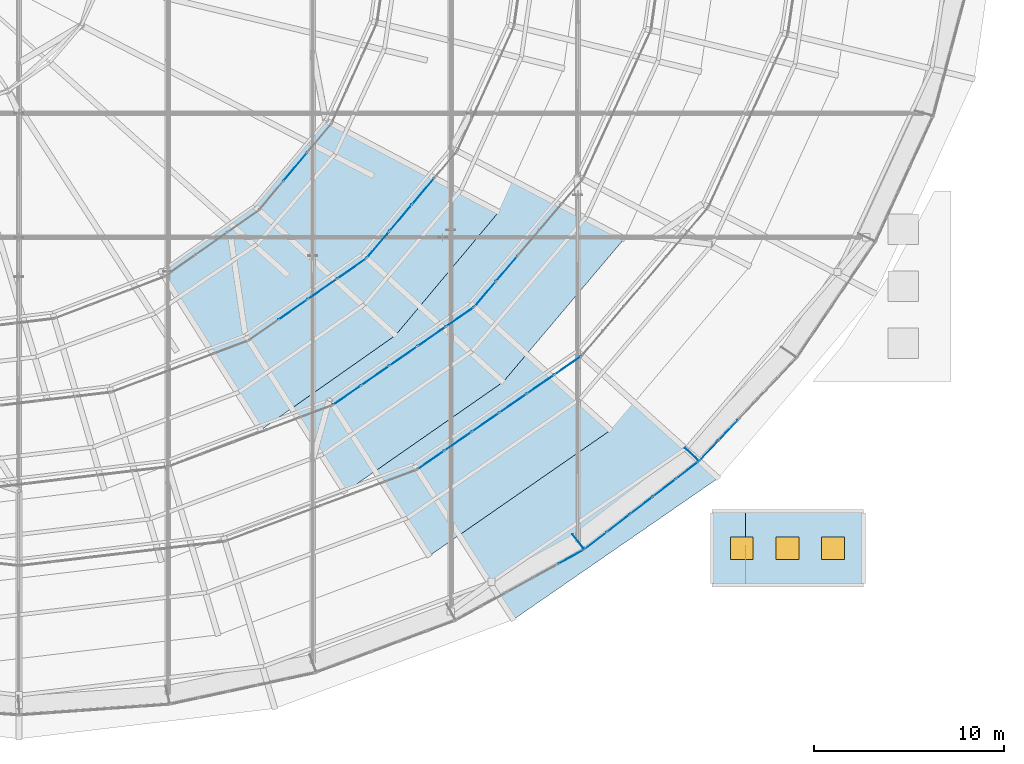
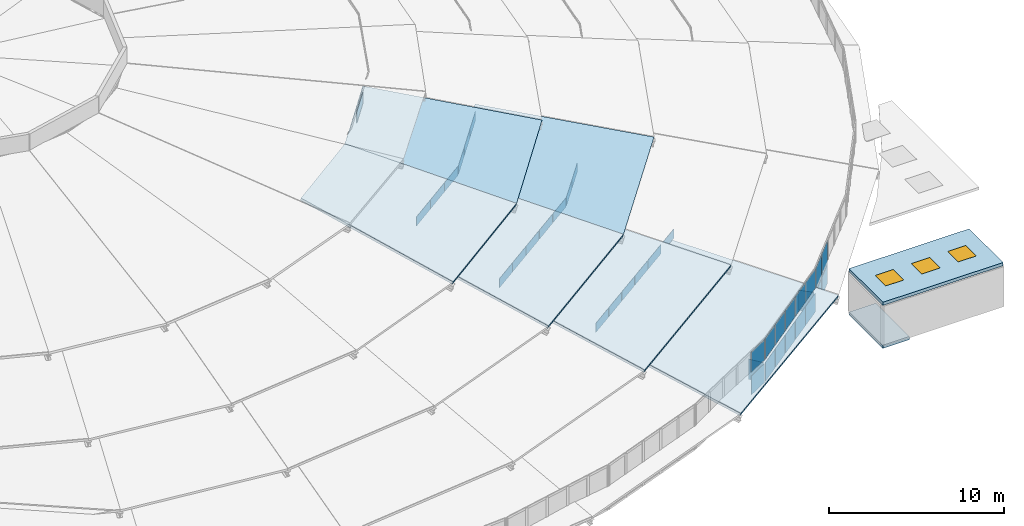
# One storey, part 150 of 173: 38 plates, 8 slabs, 3 doors, 3 openings, 13 elements without a shape of their own.
"""IFC4 building model written with IfcOpenShell, lengths in metres."""

from ifc_helpers import new_model, si_unit, direction, frame, origin, origin_2d, place, context, subcontext, project, spatial, polyline, rectangle, outline, extrude, material, layer, layer_set, type_object, element, fill, aggregate, save


model = new_model("IFC4")

# Units and contexts
model_context = context("Model", 3, precision=1e-05, world=origin(), true_north=direction((0.0, 1.0)))
body_context = subcontext(model_context, "Body", "Model", "MODEL_VIEW")
ifc_project = project(units=[si_unit("LENGTHUNIT", "METRE"), si_unit("AREAUNIT", "SQUARE_METRE"), si_unit("VOLUMEUNIT", "CUBIC_METRE"), si_unit("PLANEANGLEUNIT", "RADIAN"), si_unit("MASSUNIT", "GRAM", prefix="KILO")], contexts=[model_context])

# Site, building, storey
site_placement = place(None, origin())
site = spatial("IfcSite", under=ifc_project, at=site_placement, CompositionType="ELEMENT")
building_placement = place(site_placement, origin())
building = spatial("IfcBuilding", under=site, at=building_placement, Name="Glasvene Arena", CompositionType="ELEMENT")
storey_placement = place(building_placement, frame((0.0, 0.0, 28.800048828125)))
storey = spatial("IfcBuildingStorey", under=building, at=storey_placement, Name="RF", CompositionType="ELEMENT", Elevation=28.800048828125)

# Curtain wall, plates
ifc_material_1 = material(Name="Low-emissivity laminated double glazing", Category="glass")
curtain_wall_type_1 = type_object("IfcCurtainWallType", Name="CW-PET1-1054x75", PredefinedType="USERDEFINED", material=ifc_material_1)
curtain_wall_1_placement = place(storey_placement, frame((112.925048828125, 40.350830078125, 0.0)))
curtain_wall_1 = element("IfcCurtainWall", 1, at=curtain_wall_1_placement, inside=storey, type_object=curtain_wall_type_1, Name="Petal ring 1-2 clerestory curtain wall 21", ObjectType="CURTAIN WALL", PredefinedType="USERDEFINED")
ifc_layer_1 = layer(ifc_material_1, 0.028076171875)
ifc_layer_set_1 = layer_set([ifc_layer_1], Name="Low-emissivity laminated double glazing")
plate_type_1 = type_object("IfcPlateType", Name="CW-GLZ-28", PredefinedType="CURTAIN_PANEL", material=ifc_layer_set_1)
plate_1_placement = place(storey_placement, frame((113.657470703125, 40.857177734375, 2.6298828125), z_axis=(0.0, 0.0, 1.0), x_axis=(0.822600954666, 0.568619089886, 0.0)))
plate_1 = element("IfcPlate", 2, at=plate_1_placement, type_object=plate_type_1, Name="CW-084 panel 1.1", PredefinedType="CURTAIN_PANEL", context=body_context, shape_type="SweptSolid", body=[
    extrude(rectangle(XDim=1.68115234375, YDim=0.028076171875, at=origin_2d()), origin(), (0.0, 0.0, 1.0), 0.64990234375),
])
plate_2_placement = place(storey_placement, frame((115.091796875, 41.8486328125, 2.6298828125), z_axis=(0.0, 0.0, 1.0), x_axis=(0.822600954666, 0.568619089886, 0.0)))
plate_2 = element("IfcPlate", 3, at=plate_2_placement, type_object=plate_type_1, Name="CW-084 panel 2.1", PredefinedType="CURTAIN_PANEL", context=body_context, shape_type="SweptSolid", body=[
    extrude(rectangle(XDim=1.7060546875, YDim=0.028076171875, at=origin_2d()), origin(), (0.0, 0.0, 1.0), 0.64990234375),
])
plate_3_placement = place(storey_placement, frame((116.536376953125, 42.84716796875, 2.6298828125), z_axis=(0.0, 0.0, 1.0), x_axis=(0.822600954666, 0.568619089886, 0.0)))
plate_3 = element("IfcPlate", 4, at=plate_3_placement, type_object=plate_type_1, Name="CW-084 panel 3.1", PredefinedType="CURTAIN_PANEL", context=body_context, shape_type="SweptSolid", body=[
    extrude(rectangle(XDim=1.7060546875, YDim=0.028076171875, at=origin_2d()), origin(), (0.0, 0.0, 1.0), 0.64990234375),
])
plate_4_placement = place(storey_placement, frame((117.98095703125, 43.845703125, 2.6298828125), z_axis=(0.0, 0.0, 1.0), x_axis=(0.822600954666, 0.568619089886, 0.0)))
plate_4 = element("IfcPlate", 5, at=plate_4_placement, type_object=plate_type_1, Name="CW-084 panel 4.1", PredefinedType="CURTAIN_PANEL", context=body_context, shape_type="SweptSolid", body=[
    extrude(rectangle(XDim=1.7060546875, YDim=0.028076171875, at=origin_2d()), origin(), (0.0, 0.0, 1.0), 0.64990234375),
])
plate_5_placement = place(storey_placement, frame((119.425537109375, 44.84423828125, 2.6298828125), z_axis=(0.0, 0.0, 1.0), x_axis=(0.822600954666, 0.568619089886, 0.0)))
plate_5 = element("IfcPlate", 6, at=plate_5_placement, type_object=plate_type_1, Name="CW-084 panel 5.1", PredefinedType="CURTAIN_PANEL", context=body_context, shape_type="SweptSolid", body=[
    extrude(rectangle(XDim=1.7060546875, YDim=0.028076171875, at=origin_2d()), origin(), (0.0, 0.0, 1.0), 0.64990234375),
])
plate_6_placement = place(storey_placement, frame((120.85986328125, 45.835693359375, 2.6298828125), z_axis=(0.0, 0.0, 1.0), x_axis=(0.822600954666, 0.568619089886, 0.0)))
plate_6 = element("IfcPlate", 7, at=plate_6_placement, type_object=plate_type_1, Name="CW-084 panel 6.1", PredefinedType="CURTAIN_PANEL", context=body_context, shape_type="SweptSolid", body=[
    extrude(rectangle(XDim=1.68115234375, YDim=0.028076171875, at=origin_2d()), origin(), (0.0, 0.0, 1.0), 0.64990234375),
])
aggregate(curtain_wall_1, [plate_1, plate_2, plate_3, plate_4, plate_5, plate_6])

curtain_wall_type_2 = type_object("IfcCurtainWallType", Name="CW-PET2-905x75", PredefinedType="USERDEFINED", material=ifc_material_1)
curtain_wall_2_placement = place(storey_placement, frame((108.5, 43.74755859375, 0.0)))
curtain_wall_2 = element("IfcCurtainWall", 8, at=curtain_wall_2_placement, inside=storey, type_object=curtain_wall_type_2, Name="Petal ring 2-3 clerestory curtain wall 21", ObjectType="CURTAIN WALL", PredefinedType="USERDEFINED")
plate_7_placement = place(storey_placement, frame((109.253662109375, 44.270263671875, 5.22998046875), z_axis=(0.0, 0.0, 1.0), x_axis=(0.821699335018, 0.569921225109, 0.0)))
plate_7 = element("IfcPlate", 9, at=plate_7_placement, type_object=plate_type_1, Name="CW-090 panel 1.1", PredefinedType="CURTAIN_PANEL", context=body_context, shape_type="SweptSolid", body=[
    extrude(rectangle(XDim=1.734619140625, YDim=0.028076171875, at=origin_2d()), origin(), (0.0, 0.0, 1.0), 0.64990234375),
])
plate_8_placement = place(storey_placement, frame((110.73046875, 45.294677734375, 5.22998046875), z_axis=(0.0, 0.0, 1.0), x_axis=(0.821699335018, 0.569921225109, 0.0)))
plate_8 = element("IfcPlate", 10, at=plate_8_placement, type_object=plate_type_1, Name="CW-090 panel 2.1", PredefinedType="CURTAIN_PANEL", context=body_context, shape_type="SweptSolid", body=[
    extrude(rectangle(XDim=1.759765625, YDim=0.028076171875, at=origin_2d()), origin(), (0.0, 0.0, 1.0), 0.64990234375),
])
plate_9_placement = place(storey_placement, frame((112.217529296875, 46.325927734375, 5.22998046875), z_axis=(0.0, 0.0, 1.0), x_axis=(0.821699335018, 0.569921225109, 0.0)))
plate_9 = element("IfcPlate", 11, at=plate_9_placement, type_object=plate_type_1, Name="CW-090 panel 3.1", PredefinedType="CURTAIN_PANEL", context=body_context, shape_type="SweptSolid", body=[
    extrude(rectangle(XDim=1.759765625, YDim=0.028076171875, at=origin_2d()), origin(), (0.0, 0.0, 1.0), 0.64990234375),
])
plate_10_placement = place(storey_placement, frame((113.70458984375, 47.357421875, 5.22998046875), z_axis=(0.0, 0.0, 1.0), x_axis=(0.821699335018, 0.569921225109, 0.0)))
plate_10 = element("IfcPlate", 12, at=plate_10_placement, type_object=plate_type_1, Name="CW-090 panel 4.1", PredefinedType="CURTAIN_PANEL", context=body_context, shape_type="SweptSolid", body=[
    extrude(rectangle(XDim=1.759765625, YDim=0.028076171875, at=origin_2d()), origin(), (0.0, 0.0, 1.0), 0.64990234375),
])
plate_11_placement = place(storey_placement, frame((115.181396484375, 48.381591796875, 5.22998046875), z_axis=(0.0, 0.0, 1.0), x_axis=(0.821699335018, 0.569921225109, 0.0)))
plate_11 = element("IfcPlate", 13, at=plate_11_placement, type_object=plate_type_1, Name="CW-090 panel 5.1", PredefinedType="CURTAIN_PANEL", context=body_context, shape_type="SweptSolid", body=[
    extrude(rectangle(XDim=1.734619140625, YDim=0.028076171875, at=origin_2d()), origin(), (0.0, 0.0, 1.0), 0.64990234375),
])
aggregate(curtain_wall_2, [plate_7, plate_8, plate_9, plate_10, plate_11])

curtain_wall_type_3 = type_object("IfcCurtainWallType", Name="CW-PET2-882x75", PredefinedType="USERDEFINED", material=ifc_material_1)
curtain_wall_3_placement = place(storey_placement, frame((115.93505859375, 48.904296875, 0.0)))
curtain_wall_3 = element("IfcCurtainWall", 14, at=curtain_wall_3_placement, inside=storey, type_object=curtain_wall_type_3, Name="Petal ring 2-3 clerestory curtain wall 22", ObjectType="CURTAIN WALL", PredefinedType="USERDEFINED")
plate_12_placement = place(storey_placement, frame((116.513671875, 49.5859375, 5.22998046875), z_axis=(0.0, 0.0, 1.0), x_axis=(0.647166893632, 0.762348353305, 0.0)))
plate_12 = element("IfcPlate", 15, at=plate_12_placement, type_object=plate_type_1, Name="CW-089 panel 1.1", PredefinedType="CURTAIN_PANEL", context=body_context, shape_type="SweptSolid", body=[
    extrude(rectangle(XDim=1.688232421875, YDim=0.028076171875, at=origin_2d()), origin(), (0.0, 0.0, 1.0), 0.64990234375),
])
plate_13_placement = place(storey_placement, frame((117.646728515625, 50.920654296875, 5.22998046875), z_axis=(0.0, 0.0, 1.0), x_axis=(0.647166893632, 0.762348353305, 0.0)))
plate_13 = element("IfcPlate", 16, at=plate_13_placement, type_object=plate_type_1, Name="CW-089 panel 2.1", PredefinedType="CURTAIN_PANEL", context=body_context, shape_type="SweptSolid", body=[
    extrude(rectangle(XDim=1.713134765625, YDim=0.028076171875, at=origin_2d()), origin(), (0.0, 0.0, 1.0), 0.64990234375),
])
aggregate(curtain_wall_3, [plate_12, plate_13])

curtain_wall_type_4 = type_object("IfcCurtainWallType", Name="CW-PET3-756x75", PredefinedType="USERDEFINED", material=ifc_material_1)
curtain_wall_4_placement = place(storey_placement, frame((104.074951171875, 47.14404296875, 0.0)))
curtain_wall_4 = element("IfcCurtainWall", 17, at=curtain_wall_4_placement, inside=storey, type_object=curtain_wall_type_4, Name="Petal ring 3-4 clerestory curtain wall 21", ObjectType="CURTAIN WALL", PredefinedType="USERDEFINED")
plate_14_placement = place(storey_placement, frame((106.401123046875, 48.76513671875, 7.8798828125), z_axis=(0.0, 0.0, 1.0), x_axis=(0.82043313701, 0.571742483725, 0.0)))
plate_14 = element("IfcPlate", 18, at=plate_14_placement, type_object=plate_type_1, Name="CW-096 panel 2.1", PredefinedType="CURTAIN_PANEL", context=body_context, shape_type="SweptSolid", body=[
    extrude(rectangle(XDim=1.840087890625, YDim=0.028076171875, at=origin_2d()), origin(), (0.0, 0.0, 1.0), 0.64990234375),
])
plate_15_placement = place(storey_placement, frame((107.95166015625, 49.845703125, 7.8798828125), z_axis=(0.0, 0.0, 1.0), x_axis=(0.82043313701, 0.571742483725, 0.0)))
plate_15 = element("IfcPlate", 19, at=plate_15_placement, type_object=plate_type_1, Name="CW-096 panel 3.1", PredefinedType="CURTAIN_PANEL", context=body_context, shape_type="SweptSolid", body=[
    extrude(rectangle(XDim=1.840087890625, YDim=0.028076171875, at=origin_2d()), origin(), (0.0, 0.0, 1.0), 0.64990234375),
])
plate_16_placement = place(storey_placement, frame((109.4921875, 50.919189453125, 7.8798828125), z_axis=(0.0, 0.0, 1.0), x_axis=(0.82043313701, 0.571742483725, 0.0)))
plate_16 = element("IfcPlate", 20, at=plate_16_placement, type_object=plate_type_1, Name="CW-096 panel 4.1", PredefinedType="CURTAIN_PANEL", context=body_context, shape_type="SweptSolid", body=[
    extrude(rectangle(XDim=1.815185546875, YDim=0.028076171875, at=origin_2d()), origin(), (0.0, 0.0, 1.0), 0.64990234375),
])
aggregate(curtain_wall_4, [plate_14, plate_15, plate_16])

curtain_wall_type_5 = type_object("IfcCurtainWallType", Name="CW-PET3-737x75", PredefinedType="USERDEFINED", material=ifc_material_1)
curtain_wall_5_placement = place(storey_placement, frame((110.27783203125, 51.466796875, 0.0)))
curtain_wall_5 = element("IfcCurtainWall", 21, at=curtain_wall_5_placement, inside=storey, type_object=curtain_wall_type_5, Name="Petal ring 3-4 clerestory curtain wall 22", ObjectType="CURTAIN WALL", PredefinedType="USERDEFINED")
plate_17_placement = place(storey_placement, frame((110.880859375, 52.180419921875, 7.8798828125), z_axis=(0.0, 0.0, 1.0), x_axis=(0.645393801566, 0.763850012044, 0.0)))
plate_17 = element("IfcPlate", 22, at=plate_17_placement, type_object=plate_type_1, Name="CW-095 panel 1.1", PredefinedType="CURTAIN_PANEL", context=body_context, shape_type="SweptSolid", body=[
    extrude(rectangle(XDim=1.768798828125, YDim=0.028076171875, at=origin_2d()), origin(), (0.0, 0.0, 1.0), 0.64990234375),
])
plate_18_placement = place(storey_placement, frame((112.062744140625, 53.5791015625, 7.8798828125), z_axis=(0.0, 0.0, 1.0), x_axis=(0.645393801566, 0.763850012044, 0.0)))
plate_18 = element("IfcPlate", 23, at=plate_18_placement, type_object=plate_type_1, Name="CW-095 panel 2.1", PredefinedType="CURTAIN_PANEL", context=body_context, shape_type="SweptSolid", body=[
    extrude(rectangle(XDim=1.793701171875, YDim=0.028076171875, at=origin_2d()), origin(), (0.0, 0.0, 1.0), 0.64990234375),
])
plate_19_placement = place(storey_placement, frame((113.252685546875, 54.987548828125, 7.8798828125), z_axis=(0.0, 0.0, 1.0), x_axis=(0.645393801566, 0.763850012044, 0.0)))
plate_19 = element("IfcPlate", 24, at=plate_19_placement, type_object=plate_type_1, Name="CW-095 panel 3.1", PredefinedType="CURTAIN_PANEL", context=body_context, shape_type="SweptSolid", body=[
    extrude(rectangle(XDim=1.793701171875, YDim=0.028076171875, at=origin_2d()), origin(), (0.0, 0.0, 1.0), 0.64990234375),
])
aggregate(curtain_wall_5, [plate_17, plate_18, plate_19])

# Curtain wall, plate
curtain_wall_type_6 = type_object("IfcCurtainWallType", Name="CW-PET4-594x92", PredefinedType="USERDEFINED", material=ifc_material_1)
curtain_wall_6_placement = place(storey_placement, frame((104.62060546875, 53.99365234375, 0.0)))
curtain_wall_6 = element("IfcCurtainWall", 25, at=curtain_wall_6_placement, inside=storey, type_object=curtain_wall_type_6, Name="Petal ring 4-5 clerestory curtain wall 22", ObjectType="CURTAIN WALL", PredefinedType="USERDEFINED")
plate_20_placement = place(storey_placement, frame((106.527587890625, 56.271728515625, 10.580078125), z_axis=(0.0, 0.0, 1.0), x_axis=(0.64187958935, 0.766805446496, 0.0)))
plate_20 = element("IfcPlate", 26, at=plate_20_placement, type_object=plate_type_1, Name="CW-101 panel 2.1", PredefinedType="CURTAIN_PANEL", context=body_context, shape_type="SweptSolid", body=[
    extrude(rectangle(XDim=1.9306640625, YDim=0.028076171875, at=origin_2d()), origin(), (0.0, 0.0, 1.0), 0.81591796875),
])
aggregate(curtain_wall_6, [plate_20])

# Curtain wall, plates
curtain_wall_type_7 = type_object("IfcCurtainWallType", Name="CW-DRUM-773x310", PredefinedType="USERDEFINED", material=ifc_material_1)
curtain_wall_7_placement = place(storey_placement, frame((114.94921875, 32.414794921875, 0.0)))
curtain_wall_7 = element("IfcCurtainWall", 27, at=curtain_wall_7_placement, inside=storey, type_object=curtain_wall_type_7, Name="Crown compression-ring fascia curtain wall 34", ObjectType="CURTAIN WALL", PredefinedType="USERDEFINED")
ifc_material_2 = material(Name="Insulated shadow-box spandrel panel")
ifc_layer_2 = layer(ifc_material_2, 0.02392578125)
ifc_layer_set_2 = layer_set([ifc_layer_2], Name="Insulated shadow-box spandrel panel")
plate_type_2 = type_object("IfcPlateType", Name="CW-SPN-24", PredefinedType="CURTAIN_PANEL", material=ifc_layer_set_2)
plate_21_placement = place(storey_placement, frame((121.025146484375, 35.769775390625, -1.330078125), z_axis=(0.0, 0.0, 1.0), x_axis=(0.875406591103, 0.483387319086, 0.0)))
plate_21 = element("IfcPlate", 28, at=plate_21_placement, type_object=plate_type_2, Name="CW-077 panel 5.1", PredefinedType="CURTAIN_PANEL", context=body_context, shape_type="SweptSolid", body=[
    extrude(rectangle(XDim=1.47021484375, YDim=0.02392578125, at=origin_2d()), origin(), (0.0, 0.0, 1.0), 1.324951171875),
])
plate_22_placement = place(storey_placement, frame((121.025146484375, 35.769775390625, 0.044921875), z_axis=(0.0, 0.0, 1.0), x_axis=(0.875406591103, 0.483387319086, 0.0)))
plate_22 = element("IfcPlate", 29, at=plate_22_placement, type_object=plate_type_2, Name="CW-077 panel 5.2", PredefinedType="CURTAIN_PANEL", context=body_context, shape_type="SweptSolid", body=[
    extrude(rectangle(XDim=1.47021484375, YDim=0.02392578125, at=origin_2d()), origin(), (0.0, 0.0, 1.0), 1.625),
])
aggregate(curtain_wall_7, [plate_21, plate_22])

curtain_wall_type_8 = type_object("IfcCurtainWallType", Name="CW-DRUM-761x310", PredefinedType="USERDEFINED", material=ifc_material_1)
curtain_wall_8_placement = place(storey_placement, frame((121.71240234375, 36.1494140625, 0.0)))
curtain_wall_8 = element("IfcCurtainWall", 30, at=curtain_wall_8_placement, inside=storey, type_object=curtain_wall_type_8, Name="Crown compression-ring fascia curtain wall 35", ObjectType="CURTAIN WALL", PredefinedType="USERDEFINED")
plate_23_placement = place(storey_placement, frame((122.32568359375, 36.62109375, -1.330078125), z_axis=(0.0, 0.0, 1.0), x_axis=(0.792482324569, 0.609894880488, 0.0)))
plate_23 = element("IfcPlate", 31, at=plate_23_placement, type_object=plate_type_2, Name="CW-076 panel 1.1", PredefinedType="CURTAIN_PANEL", context=body_context, shape_type="SweptSolid", body=[
    extrude(rectangle(XDim=1.447265625, YDim=0.02392578125, at=origin_2d()), origin(), (0.0, 0.0, 1.0), 1.324951171875),
])
plate_24_placement = place(storey_placement, frame((122.32568359375, 36.62109375, 0.044921875), z_axis=(0.0, 0.0, 1.0), x_axis=(0.792482324569, 0.609894880488, 0.0)))
plate_24 = element("IfcPlate", 32, at=plate_24_placement, type_object=plate_type_2, Name="CW-076 panel 1.2", PredefinedType="CURTAIN_PANEL", context=body_context, shape_type="SweptSolid", body=[
    extrude(rectangle(XDim=1.447265625, YDim=0.02392578125, at=origin_2d()), origin(), (0.0, 0.0, 1.0), 1.625),
])
plate_25_placement = place(storey_placement, frame((123.52197265625, 37.5419921875, -1.330078125), z_axis=(0.0, 0.0, 1.0), x_axis=(0.792482324569, 0.609894880488, 0.0)))
plate_25 = element("IfcPlate", 33, at=plate_25_placement, type_object=plate_type_2, Name="CW-076 panel 2.1", PredefinedType="CURTAIN_PANEL", context=body_context, shape_type="SweptSolid", body=[
    extrude(rectangle(XDim=1.47216796875, YDim=0.02392578125, at=origin_2d()), origin(), (0.0, 0.0, 1.0), 1.324951171875),
])
plate_26_placement = place(storey_placement, frame((123.52197265625, 37.5419921875, 0.044921875), z_axis=(0.0, 0.0, 1.0), x_axis=(0.792482324569, 0.609894880488, 0.0)))
plate_26 = element("IfcPlate", 34, at=plate_26_placement, type_object=plate_type_2, Name="CW-076 panel 2.2", PredefinedType="CURTAIN_PANEL", context=body_context, shape_type="SweptSolid", body=[
    extrude(rectangle(XDim=1.47216796875, YDim=0.02392578125, at=origin_2d()), origin(), (0.0, 0.0, 1.0), 1.625),
])
plate_27_placement = place(storey_placement, frame((124.728271484375, 38.47021484375, -1.330078125), z_axis=(0.0, 0.0, 1.0), x_axis=(0.792482324569, 0.609894880488, 0.0)))
plate_27 = element("IfcPlate", 35, at=plate_27_placement, type_object=plate_type_2, Name="CW-076 panel 3.1", PredefinedType="CURTAIN_PANEL", context=body_context, shape_type="SweptSolid", body=[
    extrude(rectangle(XDim=1.47216796875, YDim=0.02392578125, at=origin_2d()), origin(), (0.0, 0.0, 1.0), 1.324951171875),
])
plate_28_placement = place(storey_placement, frame((124.728271484375, 38.47021484375, 0.044921875), z_axis=(0.0, 0.0, 1.0), x_axis=(0.792482324569, 0.609894880488, 0.0)))
plate_28 = element("IfcPlate", 36, at=plate_28_placement, type_object=plate_type_2, Name="CW-076 panel 3.2", PredefinedType="CURTAIN_PANEL", context=body_context, shape_type="SweptSolid", body=[
    extrude(rectangle(XDim=1.47216796875, YDim=0.02392578125, at=origin_2d()), origin(), (0.0, 0.0, 1.0), 1.625),
])
plate_29_placement = place(storey_placement, frame((125.9345703125, 39.398681640625, -1.330078125), z_axis=(0.0, 0.0, 1.0), x_axis=(0.792482324569, 0.609894880488, 0.0)))
plate_29 = element("IfcPlate", 37, at=plate_29_placement, type_object=plate_type_2, Name="CW-076 panel 4.1", PredefinedType="CURTAIN_PANEL", context=body_context, shape_type="SweptSolid", body=[
    extrude(rectangle(XDim=1.47216796875, YDim=0.02392578125, at=origin_2d()), origin(), (0.0, 0.0, 1.0), 1.324951171875),
])
plate_30_placement = place(storey_placement, frame((125.9345703125, 39.398681640625, 0.044921875), z_axis=(0.0, 0.0, 1.0), x_axis=(0.792482324569, 0.609894880488, 0.0)))
plate_30 = element("IfcPlate", 38, at=plate_30_placement, type_object=plate_type_2, Name="CW-076 panel 4.2", PredefinedType="CURTAIN_PANEL", context=body_context, shape_type="SweptSolid", body=[
    extrude(rectangle(XDim=1.47216796875, YDim=0.02392578125, at=origin_2d()), origin(), (0.0, 0.0, 1.0), 1.625),
])
plate_31_placement = place(storey_placement, frame((127.131103515625, 40.319580078125, -1.330078125), z_axis=(0.0, 0.0, 1.0), x_axis=(0.792482324569, 0.609894880488, 0.0)))
plate_31 = element("IfcPlate", 39, at=plate_31_placement, type_object=plate_type_2, Name="CW-076 panel 5.1", PredefinedType="CURTAIN_PANEL", context=body_context, shape_type="SweptSolid", body=[
    extrude(rectangle(XDim=1.447265625, YDim=0.02392578125, at=origin_2d()), origin(), (0.0, 0.0, 1.0), 1.324951171875),
])
plate_32_placement = place(storey_placement, frame((127.131103515625, 40.319580078125, 0.044921875), z_axis=(0.0, 0.0, 1.0), x_axis=(0.792482324569, 0.609894880488, 0.0)))
plate_32 = element("IfcPlate", 40, at=plate_32_placement, type_object=plate_type_2, Name="CW-076 panel 5.2", PredefinedType="CURTAIN_PANEL", context=body_context, shape_type="SweptSolid", body=[
    extrude(rectangle(XDim=1.447265625, YDim=0.02392578125, at=origin_2d()), origin(), (0.0, 0.0, 1.0), 1.625),
])
aggregate(curtain_wall_8, [plate_23, plate_24, plate_25, plate_26, plate_27, plate_28, plate_29, plate_30, plate_31, plate_32])

curtain_wall_type_9 = type_object("IfcCurtainWallType", Name="CW-DRUM-749x310", PredefinedType="USERDEFINED", material=ifc_material_1)
curtain_wall_9_placement = place(storey_placement, frame((127.744140625, 40.791259765625, 0.0)))
curtain_wall_9 = element("IfcCurtainWall", 41, at=curtain_wall_9_placement, inside=storey, type_object=curtain_wall_type_9, Name="Crown compression-ring fascia curtain wall 36", ObjectType="CURTAIN WALL", PredefinedType="USERDEFINED")
plate_33_placement = place(storey_placement, frame((128.26806640625, 41.343994140625, -1.330078125), z_axis=(0.0, 0.0, 1.0), x_axis=(0.687924637344, 0.725782125252, 0.0)))
plate_33 = element("IfcPlate", 42, at=plate_33_placement, type_object=plate_type_2, Name="CW-075 panel 1.1", PredefinedType="CURTAIN_PANEL", context=body_context, shape_type="SweptSolid", body=[
    extrude(rectangle(XDim=1.422607421875, YDim=0.02392578125, at=origin_2d()), origin(), (0.0, 0.0, 1.0), 1.324951171875),
])
plate_34_placement = place(storey_placement, frame((128.26806640625, 41.343994140625, 0.044921875), z_axis=(0.0, 0.0, 1.0), x_axis=(0.687924637344, 0.725782125252, 0.0)))
plate_34 = element("IfcPlate", 43, at=plate_34_placement, type_object=plate_type_2, Name="CW-075 panel 1.2", PredefinedType="CURTAIN_PANEL", context=body_context, shape_type="SweptSolid", body=[
    extrude(rectangle(XDim=1.422607421875, YDim=0.02392578125, at=origin_2d()), origin(), (0.0, 0.0, 1.0), 1.625),
])
plate_35_placement = place(storey_placement, frame((129.289794921875, 42.421875, -1.330078125), z_axis=(0.0, 0.0, 1.0), x_axis=(0.687924637344, 0.725782125252, 0.0)))
plate_35 = element("IfcPlate", 44, at=plate_35_placement, type_object=plate_type_2, Name="CW-075 panel 2.1", PredefinedType="CURTAIN_PANEL", context=body_context, shape_type="SweptSolid", body=[
    extrude(rectangle(XDim=1.44775390625, YDim=0.02392578125, at=origin_2d()), origin(), (0.0, 0.0, 1.0), 1.324951171875),
])
plate_36_placement = place(storey_placement, frame((129.289794921875, 42.421875, 0.044921875), z_axis=(0.0, 0.0, 1.0), x_axis=(0.687924637344, 0.725782125252, 0.0)))
plate_36 = element("IfcPlate", 45, at=plate_36_placement, type_object=plate_type_2, Name="CW-075 panel 2.2", PredefinedType="CURTAIN_PANEL", context=body_context, shape_type="SweptSolid", body=[
    extrude(rectangle(XDim=1.44775390625, YDim=0.02392578125, at=origin_2d()), origin(), (0.0, 0.0, 1.0), 1.625),
])
aggregate(curtain_wall_9, [plate_33, plate_34, plate_35, plate_36])

# Plates
ifc_material_3 = material(Name="Steel S355J2", Category="steel")
ifc_layer_3 = layer(ifc_material_3, 0.035888671875)
ifc_layer_set_3 = layer_set([ifc_layer_3], Name="Steel S355J2")
plate_type_3 = type_object("IfcPlateType", Name="PL-CAP-36", PredefinedType="SHEET", material=ifc_layer_set_3)
for number, where, z_axis, x_axis, name in (
    (46, (121.389404296875, 36.59423828125, -1.409912109375), (0.0, 0.0, 1.0), (0.792821793707, 0.609453528518, 0.0), "Ring beam node diaphragm cap plate ND-35"),
    (47, (127.355224609375, 41.18017578125, -1.409912109375), (0.0, 0.0, 1.0), (0.688354575694, 0.725374371012, 0.0), "Ring beam node diaphragm cap plate ND-36"),
):
    element("IfcPlate", number, at=place(storey_placement, frame(where, z_axis=z_axis, x_axis=x_axis)), inside=storey, type_object=plate_type_3, Name=name, PredefinedType="SHEET", context=body_context, shape_type="SweptSolid", body=[
        extrude(rectangle(XDim=0.035888671875, YDim=0.919921875, at=origin_2d()), origin(), (0.0, 0.0, 1.0), 1.419921875),
    ])

# Slab
ifc_material_4 = material(Name="Concrete C40/50", Category="concrete")
ifc_layer_4 = layer(ifc_material_4, 0.219970703125)
ifc_layer_set_4 = layer_set([ifc_layer_4], Name="Concrete C40/50")
slab_type_1 = type_object("IfcSlabType", Name="SL-LAND-220", PredefinedType="LANDING", material=ifc_layer_set_4)
slab_1_placement = place(storey_placement, frame((129.325927734375, 36.22509765625, -0.219970703125)))
element("IfcSlab", 48, at=slab_1_placement, inside=storey, type_object=slab_type_1, Name="Roof stair arrival landing slab ST-06", PredefinedType="LANDING", context=body_context, shape_type="SweptSolid", body=[
    extrude(outline(polyline([(-0.8759765625, -1.925048828125), (0.8759765625, -1.925048828125), (0.8759765625, 1.9248046875), (-0.8759765625, 1.9248046875), (-0.8759765625, -1.925048828125)])), origin(), (0.0, 0.0, 1.0), 0.219970703125),
])

# Slab, openings, doors
slab_2_placement = place(storey_placement, frame((132.425048828125, 36.22509765625, 2.800048828125)))
slab_2 = element("IfcSlab", 49, at=slab_2_placement, inside=storey, type_object=slab_type_1, Name="Roof stair headhouse slab ST-06", PredefinedType="LANDING", context=body_context, shape_type="SweptSolid", body=[
    extrude(outline(polyline([(-3.97509765625, -1.945068359375), (3.974853515625, -1.945068359375), (3.974853515625, 1.94482421875), (-3.97509765625, 1.94482421875), (-3.97509765625, -1.945068359375)]), holes=[polyline([(-2.945068359375, -0.525146484375), (-1.905029296875, -0.525146484375), (-1.905029296875, 0.514892578125), (-2.945068359375, 0.514892578125), (-2.945068359375, -0.525146484375)]), polyline([(-0.545166015625, -0.525146484375), (0.494873046875, -0.525146484375), (0.494873046875, 0.514892578125), (-0.545166015625, 0.514892578125), (-0.545166015625, -0.525146484375)]), polyline([(1.85498046875, -0.525146484375), (2.89501953125, -0.525146484375), (2.89501953125, 0.514892578125), (1.85498046875, 0.514892578125), (1.85498046875, -0.525146484375)])]), origin(), (0.0, 0.0, 1.0), 0.219970703125),
])
opening_1_placement = place(slab_2_placement, frame((-2.425048828125, -0.005126953125, -0.010009765625)))
opening_1 = element("IfcOpeningElement", 50, at=opening_1_placement, cuts=slab_2, Name="Opening RH-120", PredefinedType="OPENING", context=body_context, shape_type="SweptSolid", body=[
    extrude(rectangle(XDim=1.199951171875, YDim=1.199951171875, at=origin_2d()), origin(), (0.0, 0.0, 1.0), 0.239990234375),
])
opening_2_placement = place(slab_2_placement, frame((-0.025146484375, -0.005126953125, -0.010009765625)))
opening_2 = element("IfcOpeningElement", 51, at=opening_2_placement, cuts=slab_2, Name="Opening RH-120", PredefinedType="OPENING", context=body_context, shape_type="SweptSolid", body=[
    extrude(rectangle(XDim=1.199951171875, YDim=1.199951171875, at=origin_2d()), origin(), (0.0, 0.0, 1.0), 0.239990234375),
])
opening_3_placement = place(slab_2_placement, frame((2.375, -0.005126953125, -0.010009765625)))
opening_3 = element("IfcOpeningElement", 52, at=opening_3_placement, cuts=slab_2, Name="Opening RH-120", PredefinedType="OPENING", context=body_context, shape_type="SweptSolid", body=[
    extrude(rectangle(XDim=1.199951171875, YDim=1.199951171875, at=origin_2d()), origin(), (0.0, 0.0, 1.0), 0.239990234375),
])
ifc_material_5 = material(Name="Insulated aluminium roof hatch", Category="aluminium")
door_type = type_object("IfcDoorType", Name="DR-HATCH-1200", OperationType="SINGLE_SWING_LEFT", PredefinedType="TRAPDOOR", material=ifc_material_5)
door_1_placement = place(opening_1_placement, frame((0.0, 0.0, 0.179931640625)))
door_1 = element("IfcDoor", 53, at=door_1_placement, inside=storey, type_object=door_type, Name="Roof smoke and maintenance access hatch RH-04", OperationType="SINGLE_SWING_LEFT", OverallHeight=1.199951171875, OverallWidth=1.199951171875, PredefinedType="TRAPDOOR", context=body_context, shape_type="SweptSolid", body=[
    extrude(rectangle(XDim=1.199951171875, YDim=1.199951171875, at=origin_2d()), origin(), (0.0, 0.0, 1.0), 0.050048828125),
])
fill(opening_1, door_1)
door_2_placement = place(opening_2_placement, frame((0.0, 0.0, 0.179931640625)))
door_2 = element("IfcDoor", 54, at=door_2_placement, inside=storey, type_object=door_type, Name="Roof smoke and maintenance access hatch RH-05", OperationType="SINGLE_SWING_LEFT", OverallHeight=1.199951171875, OverallWidth=1.199951171875, PredefinedType="TRAPDOOR", context=body_context, shape_type="SweptSolid", body=[
    extrude(rectangle(XDim=1.199951171875, YDim=1.199951171875, at=origin_2d()), origin(), (0.0, 0.0, 1.0), 0.050048828125),
])
fill(opening_2, door_2)
door_3_placement = place(opening_3_placement, frame((0.0, 0.0, 0.179931640625)))
door_3 = element("IfcDoor", 55, at=door_3_placement, inside=storey, type_object=door_type, Name="Roof smoke and maintenance access hatch RH-06", OperationType="SINGLE_SWING_LEFT", OverallHeight=1.199951171875, OverallWidth=1.199951171875, PredefinedType="TRAPDOOR", context=body_context, shape_type="SweptSolid", body=[
    extrude(rectangle(XDim=1.199951171875, YDim=1.199951171875, at=origin_2d()), origin(), (0.0, 0.0, 1.0), 0.050048828125),
])
fill(opening_3, door_3)

# Roof, slab
ifc_material_6 = material(Name="Smooth matte white insulated roof panel")
ifc_layer_5 = layer(ifc_material_6, 0.179931640625)
ifc_layer_set_5 = layer_set([ifc_layer_5], Name="Smooth matte white insulated roof panel")
roof_type = type_object("IfcRoofType", Name="RF-PETAL-ASSY", PredefinedType="PAVILION_ROOF", material=ifc_layer_set_5)
roof_1_placement = place(storey_placement, frame((92.0, 73.0, 0.0)))
roof_1 = element("IfcRoof", 56, at=roof_1_placement, inside=storey, type_object=roof_type, Name="Shifted white elliptical petal roof ring 1", PredefinedType="PAVILION_ROOF")
ifc_material_7 = material(Name="Precast concrete C50/60", Category="concrete")
ifc_layer_6 = layer(ifc_material_7, 0.179931640625)
ifc_layer_set_6 = layer_set([ifc_layer_6], Name="Precast concrete C50/60")
slab_type_2 = type_object("IfcSlabType", Name="SL-PETAL-180", PredefinedType="ROOF", material=ifc_layer_set_6)
slab_3_placement = place(storey_placement, frame((118.0, 32.469970703125, 0.0), z_axis=(0.141586340681, -0.205016773168, 0.968463438057), x_axis=(0.822846991231, 0.568262992831, -4.6396e-07)))
slab_3 = element("IfcSlab", 57, at=slab_3_placement, type_object=slab_type_2, Name="White petal roof slab ring 1 bay 21", PredefinedType="ROOF", context=body_context, shape_type="SweptSolid", body=[
    extrude(outline(polyline([(0.0, 0.0), (13.088132395215418, 8.881784197001252e-16), (10.776060498855626, 10.033905998163355), (0.33062434870891233, 10.033862175654544), (0.0, 0.0)])), origin(), (0.0, 0.0, -1.0), 0.179931640625),
])
aggregate(roof_1, [slab_3])

roof_2_placement = place(storey_placement, frame((90.550048828125, 71.85009765625, 2.550048828125)))
roof_2 = element("IfcRoof", 58, at=roof_2_placement, inside=storey, type_object=roof_type, Name="Shifted white elliptical petal roof ring 2", PredefinedType="PAVILION_ROOF")
slab_4_placement = place(storey_placement, frame((113.574951171875, 35.8232421875, 2.550048828125), z_axis=(0.144247106423, -0.208094728407, 0.96741374618), x_axis=(0.821857240871, 0.569693492703, -3.26901e-07)))
slab_4 = element("IfcSlab", 59, at=slab_4_placement, type_object=slab_type_2, Name="White petal roof slab ring 2 bay 21", PredefinedType="ROOF", context=body_context, shape_type="SweptSolid", body=[
    extrude(outline(polyline([(0.0, 0.0), (11.604634571172365, 8.881784197001252e-16), (9.323796035705572, 10.070299002482889), (0.3650525945098833, 10.070272453611526), (0.0, 0.0)])), origin(), (0.0, 0.0, -1.0), 0.179931640625),
])
aggregate(roof_2, [slab_4])

# Roof, slabs
roof_3_placement = place(storey_placement, frame((89.10009765625, 70.699951171875, 5.14990234375)))
roof_3 = element("IfcRoof", 60, at=roof_3_placement, inside=storey, type_object=roof_type, Name="Shifted white elliptical petal roof ring 3", PredefinedType="PAVILION_ROOF")
slab_5_placement = place(storey_placement, frame((109.14990234375, 39.1767578125, 5.14990234375), z_axis=(0.146932206358, -0.210959726823, 0.966388596991), x_axis=(0.820584750401, 0.571524861583, -1.654829e-06)))
slab_5 = element("IfcSlab", 61, at=slab_5_placement, type_object=slab_type_2, Name="White petal roof slab ring 3 bay 21", PredefinedType="ROOF", context=body_context, shape_type="SweptSolid", body=[
    extrude(outline(polyline([(0.0, 0.0), (10.12104262319557, 8.881784197001252e-16), (7.880489610617662, 10.11378795219653), (0.40937791716239796, 10.113674713660265), (0.0, 0.0)])), origin(), (0.0, 0.0, -1.0), 0.179931640625),
])
slab_6_placement = place(storey_placement, frame((117.455078125, 44.961181640625, 5.14990234375), z_axis=(0.191802101283, -0.162130524913, 0.967949196412), x_axis=(0.645561928832, 0.763707925874, 2.4014e-07)))
slab_6 = element("IfcSlab", 62, at=slab_6_placement, type_object=slab_type_2, Name="White petal roof slab ring 3 bay 22", PredefinedType="ROOF", context=body_context, shape_type="SweptSolid", body=[
    extrude(outline(polyline([(0.0, 0.0), (9.871336550154723, 0.0), (7.640619184248423, 10.352922204951795), (0.35418450718531763, 10.35293861081634), (0.0, 0.0)])), origin(), (0.0, 0.0, -1.0), 0.179931640625),
])
aggregate(roof_3, [slab_5, slab_6])

roof_4_placement = place(storey_placement, frame((87.64990234375, 69.550048828125, 7.800048828125)))
roof_4 = element("IfcRoof", 63, at=roof_4_placement, inside=storey, type_object=roof_type, Name="Shifted white elliptical petal roof ring 4", PredefinedType="PAVILION_ROOF")
slab_7_placement = place(storey_placement, frame((104.72509765625, 42.443359375, 7.800048828125), z_axis=(0.149627893926, -0.212748093814, 0.965582591982), x_axis=(0.817960270672, 0.575274713159, -1.112253e-06)))
slab_7 = element("IfcSlab", 64, at=slab_7_placement, type_object=slab_type_2, Name="White petal roof slab ring 4 bay 21", PredefinedType="ROOF", context=body_context, shape_type="SweptSolid", body=[
    extrude(outline(polyline([(0.0, 0.0), (8.64651808764953, 0.0), (6.488365131303985, 10.188173289469212), (0.5003169982706019, 10.188110707600943), (0.0, 0.0)])), origin(), (0.0, 0.0, -1.0), 0.179931640625),
])
slab_8_placement = place(storey_placement, frame((111.797607421875, 47.41748046875, 7.800048828125), z_axis=(0.195283580118, -0.163496766844, 0.967022818018), x_axis=(0.641943831907, 0.766751665584, 3.3977e-07)))
slab_8 = element("IfcSlab", 65, at=slab_8_placement, type_object=slab_type_2, Name="White petal roof slab ring 4 bay 22", PredefinedType="ROOF", context=body_context, shape_type="SweptSolid", body=[
    extrude(outline(polyline([(0.0, 0.0), (8.45439492380113, 8.881784197001252e-16), (6.306650552051541, 10.4044241557182), (0.45172991753638053, 10.404443245120317), (0.0, 0.0)])), origin(), (0.0, 0.0, -1.0), 0.179931640625),
])
aggregate(roof_4, [slab_7, slab_8])

save(model, "model.ifc")
